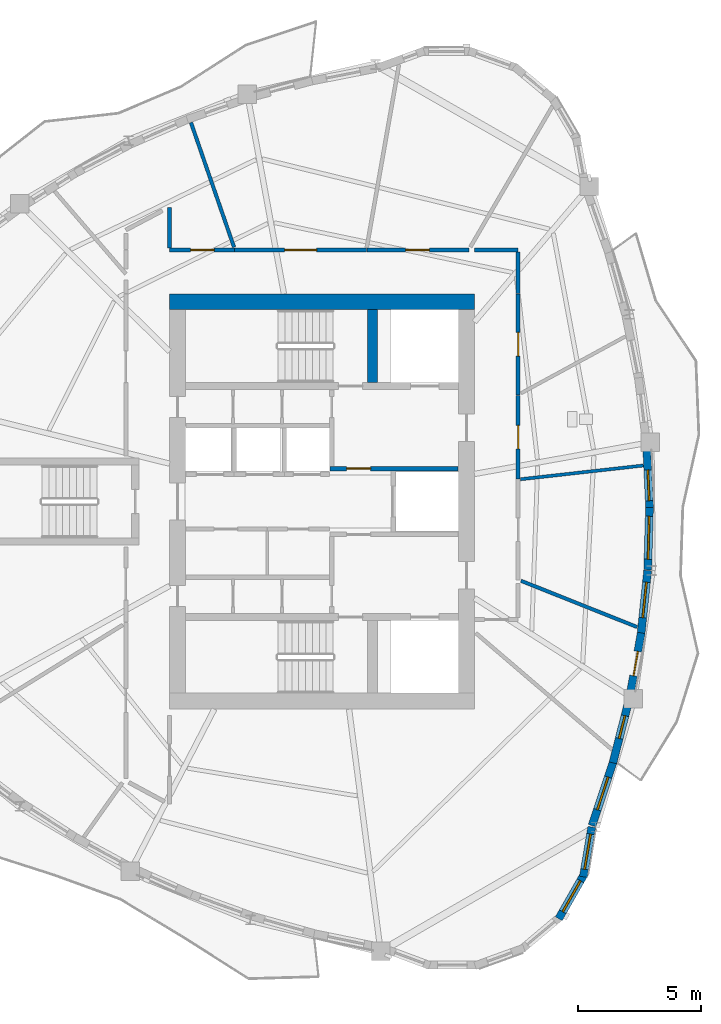
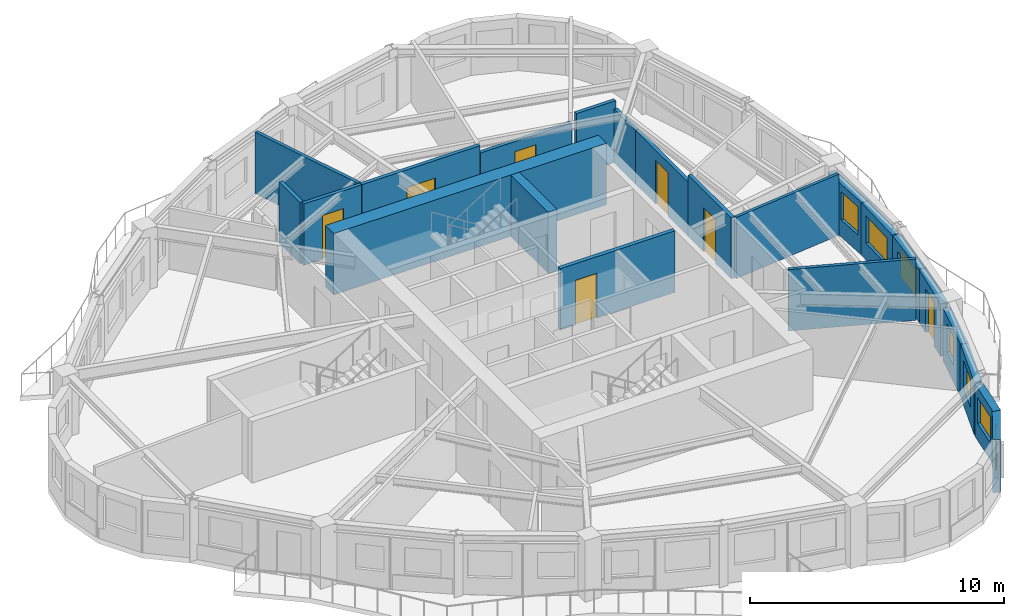
# One storey, part 6 of 12: 22 walls, 7 doors, 7 windows, 14 openings.
"""IFC4 building model written with IfcOpenShell, lengths in metres."""

from ifc_helpers import new_model, si_unit, direction, frame, frame_2d, origin, place, context, subcontext, project, spatial, rectangle, extrude, source, transform, mapped, material, layer, layer_set, type_object, element, fill, save


model = new_model("IFC4")

# Units and contexts
model_context = context("Model", 3, precision=1e-05, world=origin(), true_north=direction((0.0, 1.0)))
body_context = subcontext(model_context, "Body", "Model", "MODEL_VIEW")
ifc_project = project(units=[si_unit("LENGTHUNIT", "METRE"), si_unit("AREAUNIT", "SQUARE_METRE"), si_unit("VOLUMEUNIT", "CUBIC_METRE"), si_unit("PLANEANGLEUNIT", "RADIAN"), si_unit("MASSUNIT", "GRAM", prefix="KILO")], contexts=[model_context])

# Site, building, storey
site_placement = place(None, origin())
site = spatial("IfcSite", under=ifc_project, at=site_placement, CompositionType="ELEMENT")
building_placement = place(site_placement, origin())
building = spatial("IfcBuilding", under=site, at=building_placement, Name="Qafzar Sky-Pleat Residences", CompositionType="ELEMENT")
storey_placement = place(building_placement, frame((0.0, 0.0, 184.199951171875)))
storey = spatial("IfcBuildingStorey", under=building, at=storey_placement, Name="L55", CompositionType="ELEMENT", Elevation=184.199951171875)

# Wall, opening, door
ifc_material_1 = material(Name="Acoustic gypsum plasterboard partition", Category="gypsum")
ifc_layer_1 = layer(ifc_material_1, 0.159912109375)
ifc_layer_set_1 = layer_set([ifc_layer_1], Name="Acoustic gypsum plasterboard partition")
wall_type_1 = type_object("IfcWallType", Name="PART-COR-160", PredefinedType="PARTITIONING", material=ifc_layer_set_1)
wall_1_placement = place(storey_placement, frame((26.7958984375, 36.22998046875, 0.0), z_axis=(0.0, 0.0, 1.0), x_axis=(1.0, 0.0, 0.0)))
wall_1 = element("IfcWall", 1, at=wall_1_placement, inside=storey, type_object=wall_type_1, Name="L55 Partition Wall PART-L55-PW-003", PredefinedType="PARTITIONING", context=body_context, shape_type="SweptSolid", body=[
    extrude(rectangle(XDim=5.37109375, YDim=0.159912109375, at=frame_2d((2.685546875, 0.0))), origin(), (0.0, 0.0, 1.0), 2.949951171875),
])
opening_1_placement = place(wall_1_placement, frame((2.035888671875, 0.0, 0.0)))
opening_1 = element("IfcOpeningElement", 2, at=opening_1_placement, cuts=wall_1, Name="Opening ID-05", PredefinedType="OPENING", context=body_context, shape_type="SweptSolid", body=[
    extrude(rectangle(XDim=1.300048828125, YDim=2.10009765625, at=frame_2d((0.64990234375, 1.050048828125))), frame((0.0, 0.08984375, 0.0), z_axis=(0.0, -1.0, 0.0), x_axis=(1.0, 0.0, 0.0)), (0.0, 0.0, 1.0), 0.179931640625),
])
ifc_material_2 = material(Name="Timber-faced fire door", Category="wood")
door_type_1 = type_object("IfcDoorType", Name="DR-LNG-1300", OperationType="DOUBLE_DOOR_SINGLE_SWING", PredefinedType="DOOR", material=ifc_material_2)
shared_shape_1 = source(origin(), body_context, "Body", "SweptSolid", [
    extrude(rectangle(XDim=1.300048828125, YDim=2.10009765625, at=frame_2d((0.64990234375, 1.050048828125))), frame((0.0, 0.02490234375, 0.0), z_axis=(0.0, -1.0, 0.0), x_axis=(1.0, 0.0, 0.0)), (0.0, 0.0, 1.0), 0.050048828125),
])
door_1_placement = place(opening_1_placement, origin())
door_1 = element("IfcDoor", 3, at=door_1_placement, inside=storey, type_object=door_type_1, Name="L55 Graduate Lecture Room Door", OperationType="DOUBLE_DOOR_SINGLE_SWING", OverallHeight=2.10009765625, OverallWidth=1.300048828125, PredefinedType="DOOR", context=body_context, shape_type="MappedRepresentation", body=[
    mapped(shared_shape_1, transform((0.0, 0.0, 0.0), x_axis=(1.0, 0.0, 0.0), y_axis=(0.0, 1.0, 0.0), z_axis=(0.0, 0.0, 1.0), scale=1.0)),
])
fill(opening_1, door_1)

wall_2_placement = place(storey_placement, frame((32.181884765625, 36.22998046875, 0.0), z_axis=(0.0, 0.0, 1.0), x_axis=(1.0, 0.0, 0.0)))
wall_2 = element("IfcWall", 4, at=wall_2_placement, inside=storey, type_object=wall_type_1, Name="L55 Partition Wall PART-L55-PW-004", PredefinedType="PARTITIONING", context=body_context, shape_type="SweptSolid", body=[
    extrude(rectangle(XDim=4.149169921875, YDim=0.159912109375, at=frame_2d((2.07470703125, 0.0))), origin(), (0.0, 0.0, 1.0), 2.588134765625),
])
opening_2_placement = place(wall_2_placement, frame((1.571044921875, 0.0, 0.0)))
opening_2 = element("IfcOpeningElement", 5, at=opening_2_placement, cuts=wall_2, Name="Opening ID-06", PredefinedType="OPENING", context=body_context, shape_type="SweptSolid", body=[
    extrude(rectangle(XDim=0.9599609375, YDim=2.10009765625, at=frame_2d((0.47998046875, 1.050048828125))), frame((0.0, 0.08984375, 0.0), z_axis=(0.0, -1.0, 0.0), x_axis=(1.0, 0.0, 0.0)), (0.0, 0.0, 1.0), 0.179931640625),
])
door_type_2 = type_object("IfcDoorType", Name="DR-STD-960", OperationType="NOTDEFINED", PredefinedType="DOOR", material=ifc_material_2)
shared_shape_2 = source(origin(), body_context, "Body", "SweptSolid", [
    extrude(rectangle(XDim=0.9599609375, YDim=2.10009765625, at=frame_2d((0.47998046875, 1.050048828125))), frame((0.0, 0.02490234375, 0.0), z_axis=(0.0, -1.0, 0.0), x_axis=(1.0, 0.0, 0.0)), (0.0, 0.0, 1.0), 0.050048828125),
])
door_2_placement = place(opening_2_placement, origin())
door_2 = element("IfcDoor", 6, at=door_2_placement, inside=storey, type_object=door_type_2, Name="L55 Scholar Co-Working Workspace Door", OperationType="SINGLE_SWING_LEFT", OverallHeight=2.10009765625, OverallWidth=0.9599609375, PredefinedType="DOOR", context=body_context, shape_type="MappedRepresentation", body=[
    mapped(shared_shape_2, transform((0.0, 0.0, 0.0), x_axis=(1.0, 0.0, 0.0), y_axis=(0.0, 1.0, 0.0), z_axis=(0.0, 0.0, 1.0), scale=1.0)),
])
fill(opening_2, door_2)

wall_3_placement = place(storey_placement, frame((38.330078125, 34.449951171875, 0.0), z_axis=(0.0, 0.0, 1.0), x_axis=(0.0, -1.0, 0.0)))
wall_3 = element("IfcWall", 7, at=wall_3_placement, inside=storey, type_object=wall_type_1, Name="L55 Partition Wall PART-L55-PW-005", PredefinedType="PARTITIONING", context=body_context, shape_type="SweptSolid", body=[
    extrude(rectangle(XDim=4.1259765625, YDim=0.159912109375, at=frame_2d((2.06298828125, 0.0))), origin(), (0.0, 0.0, 1.0), 2.588134765625),
])
opening_3_placement = place(wall_3_placement, frame((1.574462890625, 0.0, 0.0)))
opening_3 = element("IfcOpeningElement", 8, at=opening_3_placement, cuts=wall_3, Name="Opening ID-06", PredefinedType="OPENING", context=body_context, shape_type="SweptSolid", body=[
    extrude(rectangle(XDim=0.9599609375, YDim=2.10009765625, at=frame_2d((0.47998046875, 1.050048828125))), frame((0.0, 0.08984375, 0.0), z_axis=(0.0, -1.0, 0.0), x_axis=(1.0, 0.0, 0.0)), (0.0, 0.0, 1.0), 0.179931640625),
])
door_3_placement = place(opening_3_placement, origin())
door_3 = element("IfcDoor", 9, at=door_3_placement, inside=storey, type_object=door_type_2, Name="L55 Faculty Research Office Door", OperationType="SINGLE_SWING_RIGHT", OverallHeight=2.10009765625, OverallWidth=0.9599609375, PredefinedType="DOOR", context=body_context, shape_type="MappedRepresentation", body=[
    mapped(shared_shape_2, transform((0.0, 0.0, 0.0), x_axis=(1.0, 0.0, 0.0), y_axis=(0.0, 1.0, 0.0), z_axis=(0.0, 0.0, 1.0), scale=1.0)),
])
fill(opening_3, door_3)

wall_4_placement = place(storey_placement, frame((38.330078125, 30.30908203125, 0.0), z_axis=(0.0, 0.0, 1.0), x_axis=(0.0, -1.0, 0.0)))
wall_4 = element("IfcWall", 10, at=wall_4_placement, inside=storey, type_object=wall_type_1, Name="L55 Partition Wall PART-L55-PW-008", PredefinedType="PARTITIONING", context=body_context, shape_type="SweptSolid", body=[
    extrude(rectangle(XDim=3.385009765625, YDim=0.159912109375, at=frame_2d((1.6923828125, 0.0))), origin(), (0.0, 0.0, 1.0), 2.949951171875),
])
opening_4_placement = place(wall_4_placement, frame((1.216552734375, 0.0, 0.0)))
opening_4 = element("IfcOpeningElement", 11, at=opening_4_placement, cuts=wall_4, Name="Opening ID-08", PredefinedType="OPENING", context=body_context, shape_type="SweptSolid", body=[
    extrude(rectangle(XDim=0.949951171875, YDim=2.10009765625, at=frame_2d((0.47509765625, 1.050048828125))), frame((0.0, 0.08984375, 0.0), z_axis=(0.0, -1.0, 0.0), x_axis=(1.0, 0.0, 0.0)), (0.0, 0.0, 1.0), 0.179931640625),
])
door_type_3 = type_object("IfcDoorType", Name="DR-AWC-950", OperationType="NOTDEFINED", PredefinedType="DOOR", material=ifc_material_2)
shared_shape_3 = source(origin(), body_context, "Body", "SweptSolid", [
    extrude(rectangle(XDim=0.949951171875, YDim=2.10009765625, at=frame_2d((0.47509765625, 1.050048828125))), frame((0.0, 0.02490234375, 0.0), z_axis=(0.0, -1.0, 0.0), x_axis=(1.0, 0.0, 0.0)), (0.0, 0.0, 1.0), 0.050048828125),
])
door_4_placement = place(opening_4_placement, origin())
door_4 = element("IfcDoor", 12, at=door_4_placement, inside=storey, type_object=door_type_3, Name="L55 Accessible Shared Washroom Door", OperationType="SINGLE_SWING_RIGHT", OverallHeight=2.10009765625, OverallWidth=0.949951171875, PredefinedType="DOOR", context=body_context, shape_type="MappedRepresentation", body=[
    mapped(shared_shape_3, transform((0.0, 0.0, 0.0), x_axis=(1.0, 0.0, 0.0), y_axis=(0.0, 1.0, 0.0), z_axis=(0.0, 0.0, 1.0), scale=1.0)),
])
fill(opening_4, door_4)

wall_5_placement = place(storey_placement, frame((24.14990234375, 36.22998046875, 0.0), z_axis=(0.0, 0.0, 1.0), x_axis=(1.0, 0.0, 0.0)))
wall_5 = element("IfcWall", 13, at=wall_5_placement, inside=storey, type_object=wall_type_1, Name="L55 Partition Wall PART-L55-PW-010", PredefinedType="PARTITIONING", context=body_context, shape_type="SweptSolid", body=[
    extrude(rectangle(XDim=2.631103515625, YDim=0.159912109375, at=frame_2d((1.3154296875, 0.0))), origin(), (0.0, 0.0, 1.0), 2.949951171875),
])
opening_5_placement = place(wall_5_placement, frame((0.85107421875, 0.0, 0.0)))
opening_5 = element("IfcOpeningElement", 14, at=opening_5_placement, cuts=wall_5, Name="Opening ID-06", PredefinedType="OPENING", context=body_context, shape_type="SweptSolid", body=[
    extrude(rectangle(XDim=0.9599609375, YDim=2.10009765625, at=frame_2d((0.47998046875, 1.050048828125))), frame((0.0, 0.08984375, 0.0), z_axis=(0.0, -1.0, 0.0), x_axis=(1.0, 0.0, 0.0)), (0.0, 0.0, 1.0), 0.179931640625),
])
door_5_placement = place(opening_5_placement, origin())
door_5 = element("IfcDoor", 15, at=door_5_placement, inside=storey, type_object=door_type_2, Name="L55 Wellness Yoga Studio Door", OperationType="SINGLE_SWING_LEFT", OverallHeight=2.10009765625, OverallWidth=0.9599609375, PredefinedType="DOOR", context=body_context, shape_type="MappedRepresentation", body=[
    mapped(shared_shape_2, transform((0.0, 0.0, 0.0), x_axis=(1.0, 0.0, 0.0), y_axis=(0.0, 1.0, 0.0), z_axis=(0.0, 0.0, 1.0), scale=1.0)),
])
fill(opening_5, door_5)

# Walls
wall_6_placement = place(storey_placement, frame((36.550048828125, 36.22998046875, 0.0), z_axis=(0.0, 0.0, 1.0), x_axis=(1.0, 0.0, 0.0)))
element("IfcWall", 16, at=wall_6_placement, inside=storey, type_object=wall_type_1, Name="L55 Partition Wall PART-L55-PW-024", PredefinedType="PARTITIONING", context=body_context, shape_type="SweptSolid", body=[
    extrude(rectangle(XDim=1.780029296875, YDim=0.159912109375, at=frame_2d((0.89013671875, 0.0))), origin(), (0.0, 0.0, 1.0), 2.949951171875),
])
wall_7_placement = place(storey_placement, frame((38.330078125, 34.465087890625, 0.0), z_axis=(0.0, 0.0, 1.0), x_axis=(0.0, 1.0, 0.0)))
element("IfcWall", 17, at=wall_7_placement, inside=storey, type_object=wall_type_1, Name="L55 Partition Wall PART-L55-PW-025", PredefinedType="PARTITIONING", context=body_context, shape_type="SweptSolid", body=[
    extrude(rectangle(XDim=1.677001953125, YDim=0.159912109375, at=frame_2d((0.83837890625, 0.0))), origin(), (0.0, 0.0, 1.0), 2.588134765625),
])
wall_8_placement = place(storey_placement, frame((24.14990234375, 36.318115234375, 0.0), z_axis=(0.0, 0.0, 1.0), x_axis=(0.0, 1.0, 0.0)))
element("IfcWall", 18, at=wall_8_placement, inside=storey, type_object=wall_type_1, Name="L55 Partition Wall PART-L55-PW-026", PredefinedType="PARTITIONING", context=body_context, shape_type="SweptSolid", body=[
    extrude(rectangle(XDim=1.637939453125, YDim=0.159912109375, at=frame_2d((0.81884765625, 0.0))), origin(), (0.0, 0.0, 1.0), 2.949951171875),
])

# Wall, opening, door
ifc_material_3 = material(Name="Concrete blockwork partition", Category="masonry")
ifc_layer_2 = layer(ifc_material_3, 0.179931640625)
ifc_layer_set_2 = layer_set([ifc_layer_2], Name="Concrete blockwork partition")
wall_type_2 = type_object("IfcWallType", Name="PART-SHAFT-180", PredefinedType="PARTITIONING", material=ifc_layer_set_2)
wall_9_placement = place(storey_placement, frame((30.669921875, 27.340087890625, 0.0), z_axis=(0.0, 0.0, 1.0), x_axis=(1.0, 0.0, 0.0)))
wall_9 = element("IfcWall", 19, at=wall_9_placement, inside=storey, type_object=wall_type_2, Name="L55 Partition Wall PART-L55-FFL2-S", PredefinedType="PARTITIONING", context=body_context, shape_type="SweptSolid", body=[
    extrude(rectangle(XDim=5.219970703125, YDim=0.179931640625, at=frame_2d((2.60986328125, 0.0))), origin(), (0.0, 0.0, 1.0), 2.949951171875),
])
opening_6_placement = place(wall_9_placement, frame((0.679931640625, 0.0, 0.0)))
opening_6 = element("IfcOpeningElement", 20, at=opening_6_placement, cuts=wall_9, Name="Opening ID-01", PredefinedType="OPENING", context=body_context, shape_type="SweptSolid", body=[
    extrude(rectangle(XDim=0.97998046875, YDim=2.14990234375, at=frame_2d((0.489990234375, 1.074951171875))), frame((0.0, 0.10009765625, 0.0), z_axis=(0.0, -1.0, 0.0), x_axis=(1.0, 0.0, 0.0)), (0.0, 0.0, 1.0), 0.199951171875),
])
door_type_4 = type_object("IfcDoorType", Name="DR-STAIR-980", OperationType="NOTDEFINED", PredefinedType="DOOR", material=ifc_material_2)
shared_shape_4 = source(origin(), body_context, "Body", "SweptSolid", [
    extrude(rectangle(XDim=0.97998046875, YDim=2.14990234375, at=frame_2d((0.489990234375, 1.074951171875))), frame((0.0, 0.02490234375, 0.0), z_axis=(0.0, -1.0, 0.0), x_axis=(1.0, 0.0, 0.0)), (0.0, 0.0, 1.0), 0.050048828125),
])
door_6_placement = place(opening_6_placement, origin())
door_6 = element("IfcDoor", 21, at=door_6_placement, inside=storey, type_object=door_type_4, Name="L55 Lift Lobby to North Firefighting Lobby Door", OperationType="SINGLE_SWING_LEFT", OverallHeight=2.14990234375, OverallWidth=0.97998046875, PredefinedType="DOOR", context=body_context, shape_type="MappedRepresentation", body=[
    mapped(shared_shape_4, transform((0.0, 0.0, 0.0), x_axis=(1.0, 0.0, 0.0), y_axis=(0.0, 1.0, 0.0), z_axis=(0.0, 0.0, 1.0), scale=1.0)),
])
fill(opening_6, door_6)

# Walls
ifc_layer_3 = layer(ifc_material_1, 0.14501953125)
ifc_layer_set_3 = layer_set([ifc_layer_3], Name="Acoustic gypsum plasterboard partition")
wall_type_3 = type_object("IfcWallType", Name="PART-UNIT-145", PredefinedType="PARTITIONING", material=ifc_layer_set_3)
wall_10_placement = place(storey_placement, frame((25.0185546875, 41.416015625, 0.0), z_axis=(0.0, 0.0, 1.0), x_axis=(0.326820085254, -0.945086573746, 0.0)))
element("IfcWall", 22, at=wall_10_placement, inside=storey, type_object=wall_type_3, Name="L55 Partition Wall PART-L55-PW-017", PredefinedType="PARTITIONING", context=body_context, shape_type="SweptSolid", body=[
    extrude(rectangle(XDim=5.36962890625, YDim=0.14501953125, at=frame_2d((2.684814453125, 0.0))), origin(), (0.0, 0.0, 1.0), 2.949951171875),
])
wall_11_placement = place(storey_placement, frame((38.4443359375, 22.7744140625, 0.0), z_axis=(0.0, 0.0, 1.0), x_axis=(0.928995588187, -0.37009079579, 0.0)))
element("IfcWall", 23, at=wall_11_placement, inside=storey, type_object=wall_type_3, Name="L55 Partition Wall PART-L55-PW-018", PredefinedType="PARTITIONING", context=body_context, shape_type="SweptSolid", body=[
    extrude(rectangle(XDim=5.08544921875, YDim=0.14501953125, at=frame_2d((2.542724609375, 0.0))), origin(), (0.0, 0.0, 1.0), 2.949951171875),
])
ifc_material_4 = material(Name="Moisture-resistant gypsum partition", Category="gypsum")
ifc_layer_4 = layer(ifc_material_4, 0.1298828125)
ifc_layer_set_4 = layer_set([ifc_layer_4], Name="Moisture-resistant gypsum partition")
wall_type_4 = type_object("IfcWallType", Name="PART-WET-130", PredefinedType="PARTITIONING", material=ifc_layer_set_4)
wall_12_placement = place(storey_placement, frame((38.42529296875, 26.904541015625, 0.0), z_axis=(0.0, 0.0, 1.0), x_axis=(0.993793959726, 0.111236530025, 0.0)))
element("IfcWall", 24, at=wall_12_placement, inside=storey, type_object=wall_type_4, Name="L55 Partition Wall PART-L55-PW-019", PredefinedType="PARTITIONING", context=body_context, shape_type="SweptSolid", body=[
    extrude(rectangle(XDim=5.026123046875, YDim=0.1298828125, at=frame_2d((2.51318359375, 0.0))), origin(), (0.0, 0.0, 1.0), 2.949951171875),
])

# Wall, opening, window
ifc_material_5 = material(Name="Precast concrete C40/50 with honed Riyadh limestone", Category="concrete")
ifc_layer_5 = layer(ifc_material_5, 0.320068359375)
ifc_layer_set_5 = layer_set([ifc_layer_5], Name="Precast concrete C40/50 with honed Riyadh limestone")
wall_type_5 = type_object("IfcWallType", Name="WALL-EXT-320", PredefinedType="SOLIDWALL", material=ifc_layer_set_5)
wall_13_placement = place(storey_placement, frame((39.980224609375, 9.025390625, 0.0), z_axis=(0.0, 0.0, 1.0), x_axis=(0.495714993308, 0.868485259178, 0.0)))
wall_13 = element("IfcWall", 25, at=wall_13_placement, inside=storey, type_object=wall_type_5, Name="L55 Limestone Facade Wall 21", PredefinedType="SOLIDWALL", context=body_context, shape_type="SweptSolid", body=[
    extrude(rectangle(XDim=2.10888671875, YDim=0.320068359375, at=frame_2d((1.054443359375, 0.0))), origin(), (0.0, 0.0, 1.0), 2.530029296875),
])
opening_7_placement = place(wall_13_placement, frame((0.329345703125, 0.0, 0.820068359375)))
opening_7 = element("IfcOpeningElement", 26, at=opening_7_placement, cuts=wall_13, Name="Opening WN-15", PredefinedType="OPENING", context=body_context, shape_type="SweptSolid", body=[
    extrude(rectangle(XDim=1.449951171875, YDim=1.25, at=frame_2d((0.72509765625, 0.625))), frame((0.0, 0.169921875, 0.0), z_axis=(0.0, -1.0, 0.0), x_axis=(1.0, 0.0, 0.0)), (0.0, 0.0, 1.0), 0.340087890625),
])
ifc_material_6 = material(Name="Solar-control low-E glass in bronze aluminium frame", Category="glass")
window_type_1 = type_object("IfcWindowType", Name="WIN-15", PartitioningType="SINGLE_PANEL", PredefinedType="WINDOW", material=ifc_material_6)
shared_shape_5 = source(origin(), body_context, "Body", "SweptSolid", [
    extrude(rectangle(XDim=1.449951171875, YDim=1.25, at=frame_2d((0.72509765625, 0.625))), frame((0.0, 0.030029296875, 0.0), z_axis=(0.0, -1.0, 0.0), x_axis=(1.0, 0.0, 0.0)), (0.0, 0.0, 1.0), 0.06005859375),
])
window_1_placement = place(opening_7_placement, origin())
window_1 = element("IfcWindow", 27, at=window_1_placement, inside=storey, type_object=window_type_1, Name="L55 Punched Facade Window 21", OverallHeight=1.25, OverallWidth=1.449951171875, PartitioningType="SINGLE_PANEL", PredefinedType="WINDOW", context=body_context, shape_type="MappedRepresentation", body=[
    mapped(shared_shape_5, transform((0.0, 0.0, 0.0), x_axis=(1.0, 0.0, 0.0), y_axis=(0.0, 1.0, 0.0), z_axis=(0.0, 0.0, 1.0), scale=1.0)),
])
fill(opening_7, window_1)

wall_14_placement = place(storey_placement, frame((40.981689453125, 10.733642578125, 0.0), z_axis=(0.0, 0.0, 1.0), x_axis=(0.165711561454, 0.986174263708, 0.0)))
wall_14 = element("IfcWall", 28, at=wall_14_placement, inside=storey, type_object=wall_type_5, Name="L55 Limestone Facade Wall 22", PredefinedType="SOLIDWALL", context=body_context, shape_type="SweptSolid", body=[
    extrude(rectangle(XDim=2.05078125, YDim=0.320068359375, at=frame_2d((1.025390625, 0.0))), origin(), (0.0, 0.0, 1.0), 2.530029296875),
])
opening_8_placement = place(wall_14_placement, frame((0.310302734375, 0.0, 0.820068359375)))
opening_8 = element("IfcOpeningElement", 29, at=opening_8_placement, cuts=wall_14, Name="Opening WN-15", PredefinedType="OPENING", context=body_context, shape_type="SweptSolid", body=[
    extrude(rectangle(XDim=1.449951171875, YDim=1.25, at=frame_2d((0.72509765625, 0.625))), frame((0.0, 0.169921875, 0.0), z_axis=(0.0, -1.0, 0.0), x_axis=(1.0, 0.0, 0.0)), (0.0, 0.0, 1.0), 0.340087890625),
])
window_2_placement = place(opening_8_placement, origin())
window_2 = element("IfcWindow", 30, at=window_2_placement, inside=storey, type_object=window_type_1, Name="L55 Punched Facade Window 22", OverallHeight=1.25, OverallWidth=1.449951171875, PartitioningType="SINGLE_PANEL", PredefinedType="WINDOW", context=body_context, shape_type="MappedRepresentation", body=[
    mapped(shared_shape_5, transform((0.0, 0.0, 0.0), x_axis=(1.0, 0.0, 0.0), y_axis=(0.0, 1.0, 0.0), z_axis=(0.0, 0.0, 1.0), scale=1.0)),
])
fill(opening_8, window_2)

wall_15_placement = place(storey_placement, frame((41.3369140625, 12.818603515625, 0.0), z_axis=(0.0, 0.0, 1.0), x_axis=(0.31443095402, 0.949280345922, 0.0)))
wall_15 = element("IfcWall", 31, at=wall_15_placement, inside=storey, type_object=wall_type_5, Name="L55 Limestone Facade Wall 23", PredefinedType="SOLIDWALL", context=body_context, shape_type="SweptSolid", body=[
    extrude(rectangle(XDim=2.772705078125, YDim=0.320068359375, at=frame_2d((1.38623046875, 0.0))), origin(), (0.0, 0.0, 1.0), 2.530029296875),
])
opening_9_placement = place(wall_15_placement, frame((0.67626953125, 0.0, 0.820068359375)))
opening_9 = element("IfcOpeningElement", 32, at=opening_9_placement, cuts=wall_15, Name="Opening WN-10", PredefinedType="OPENING", context=body_context, shape_type="SweptSolid", body=[
    extrude(rectangle(XDim=1.39990234375, YDim=1.35009765625, at=frame_2d((0.699951171875, 0.675048828125))), frame((0.0, 0.169921875, 0.0), z_axis=(0.0, -1.0, 0.0), x_axis=(1.0, 0.0, 0.0)), (0.0, 0.0, 1.0), 0.340087890625),
])
window_type_2 = type_object("IfcWindowType", Name="WIN-10", PartitioningType="SINGLE_PANEL", PredefinedType="WINDOW", material=ifc_material_6)
shared_shape_6 = source(origin(), body_context, "Body", "SweptSolid", [
    extrude(rectangle(XDim=1.39990234375, YDim=1.35009765625, at=frame_2d((0.699951171875, 0.675048828125))), frame((0.0, 0.030029296875, 0.0), z_axis=(0.0, -1.0, 0.0), x_axis=(1.0, 0.0, 0.0)), (0.0, 0.0, 1.0), 0.06005859375),
])
window_3_placement = place(opening_9_placement, origin())
window_3 = element("IfcWindow", 33, at=window_3_placement, inside=storey, type_object=window_type_2, Name="L55 Punched Facade Window 23", OverallHeight=1.35009765625, OverallWidth=1.39990234375, PartitioningType="SINGLE_PANEL", PredefinedType="WINDOW", context=body_context, shape_type="MappedRepresentation", body=[
    mapped(shared_shape_6, transform((0.0, 0.0, 0.0), x_axis=(1.0, 0.0, 0.0), y_axis=(0.0, 1.0, 0.0), z_axis=(0.0, 0.0, 1.0), scale=1.0)),
])
fill(opening_9, window_3)

wall_16_placement = place(storey_placement, frame((42.18408203125, 15.3671875, 0.0), z_axis=(0.0, 0.0, 1.0), x_axis=(0.247650778908, 0.968849364817, 0.0)))
wall_16 = element("IfcWall", 34, at=wall_16_placement, inside=storey, type_object=wall_type_5, Name="L55 Limestone Facade Wall 24", PredefinedType="SOLIDWALL", context=body_context, shape_type="SweptSolid", body=[
    extrude(rectangle(XDim=2.570068359375, YDim=0.320068359375, at=frame_2d((1.28515625, 0.0))), origin(), (0.0, 0.0, 1.0), 2.530029296875),
])
opening_10_placement = place(wall_16_placement, frame((1.02783203125, 0.0, 0.820068359375)))
opening_10 = element("IfcOpeningElement", 35, at=opening_10_placement, cuts=wall_16, Name="Opening WN-12", PredefinedType="OPENING", context=body_context, shape_type="SweptSolid", body=[
    extrude(rectangle(XDim=0.949951171875, YDim=1.35009765625, at=frame_2d((0.47509765625, 0.675048828125))), frame((0.0, 0.169921875, 0.0), z_axis=(0.0, -1.0, 0.0), x_axis=(1.0, 0.0, 0.0)), (0.0, 0.0, 1.0), 0.340087890625),
])
window_type_3 = type_object("IfcWindowType", Name="WIN-12", PartitioningType="SINGLE_PANEL", PredefinedType="WINDOW", material=ifc_material_6)
shared_shape_7 = source(origin(), body_context, "Body", "SweptSolid", [
    extrude(rectangle(XDim=0.949951171875, YDim=1.35009765625, at=frame_2d((0.47509765625, 0.675048828125))), frame((0.0, 0.030029296875, 0.0), z_axis=(0.0, -1.0, 0.0), x_axis=(1.0, 0.0, 0.0)), (0.0, 0.0, 1.0), 0.06005859375),
])
window_4_placement = place(opening_10_placement, origin())
window_4 = element("IfcWindow", 36, at=window_4_placement, inside=storey, type_object=window_type_3, Name="L55 Punched Facade Window 24-2", OverallHeight=1.35009765625, OverallWidth=0.949951171875, PartitioningType="SINGLE_PANEL", PredefinedType="WINDOW", context=body_context, shape_type="MappedRepresentation", body=[
    mapped(shared_shape_7, transform((0.0, 0.0, 0.0), x_axis=(1.0, 0.0, 0.0), y_axis=(0.0, 1.0, 0.0), z_axis=(0.0, 0.0, 1.0), scale=1.0)),
])
fill(opening_10, window_4)

# Wall, opening, door
wall_17_placement = place(storey_placement, frame((42.88818359375, 18.168212890625, 0.0), z_axis=(0.0, 0.0, 1.0), x_axis=(0.177158615295, 0.984182312901, 0.0)))
wall_17 = element("IfcWall", 37, at=wall_17_placement, inside=storey, type_object=wall_type_5, Name="L55 Limestone Facade Wall 25", PredefinedType="SOLIDWALL", context=body_context, shape_type="SweptSolid", body=[
    extrude(rectangle(XDim=2.526123046875, YDim=0.320068359375, at=frame_2d((1.26318359375, 0.0))), origin(), (0.0, 0.0, 1.0), 2.530029296875),
])
opening_11_placement = place(wall_17_placement, frame((0.758056640625, 0.0, 0.0)))
opening_11 = element("IfcOpeningElement", 38, at=opening_11_placement, cuts=wall_17, Name="Opening ED-05", PredefinedType="OPENING", context=body_context, shape_type="SweptSolid", body=[
    extrude(rectangle(XDim=1.0, YDim=2.10009765625, at=frame_2d((0.5, 1.050048828125))), frame((0.0, 0.169921875, 0.0), z_axis=(0.0, -1.0, 0.0), x_axis=(1.0, 0.0, 0.0)), (0.0, 0.0, 1.0), 0.340087890625),
])
ifc_material_7 = material(Name="Glazed bronze aluminium door", Category="aluminium")
door_type_5 = type_object("IfcDoorType", Name="DR-BAL-1000", OperationType="NOTDEFINED", PredefinedType="DOOR", material=ifc_material_7)
shared_shape_8 = source(origin(), body_context, "Body", "SweptSolid", [
    extrude(rectangle(XDim=1.0, YDim=2.10009765625, at=frame_2d((0.5, 1.050048828125))), frame((0.0, 0.02490234375, 0.0), z_axis=(0.0, -1.0, 0.0), x_axis=(1.0, 0.0, 0.0)), (0.0, 0.0, 1.0), 0.050048828125),
])
door_7_placement = place(opening_11_placement, origin())
door_7 = element("IfcDoor", 39, at=door_7_placement, inside=storey, type_object=door_type_5, Name="L55 Glazed Balcony Door 1", OperationType="SINGLE_SWING_RIGHT", OverallHeight=2.10009765625, OverallWidth=1.0, PredefinedType="DOOR", context=body_context, shape_type="MappedRepresentation", body=[
    mapped(shared_shape_8, transform((0.0, 0.0, 0.0), x_axis=(1.0, 0.0, 0.0), y_axis=(0.0, 1.0, 0.0), z_axis=(0.0, 0.0, 1.0), scale=1.0)),
])
fill(opening_11, door_7)

# Wall, opening, window
wall_18_placement = place(storey_placement, frame((43.3232421875, 20.5673828125, 0.0), z_axis=(0.0, 0.0, 1.0), x_axis=(0.10362132496, 0.9946168212, 0.0)))
wall_18 = element("IfcWall", 40, at=wall_18_placement, inside=storey, type_object=wall_type_5, Name="L55 Limestone Facade Wall 26", PredefinedType="SOLIDWALL", context=body_context, shape_type="SweptSolid", body=[
    extrude(rectangle(XDim=2.64111328125, YDim=0.320068359375, at=frame_2d((1.320556640625, 0.0))), origin(), (0.0, 0.0, 1.0), 2.530029296875),
])
opening_12_placement = place(wall_18_placement, frame((0.714111328125, 0.0, 0.820068359375)))
opening_12 = element("IfcOpeningElement", 41, at=opening_12_placement, cuts=wall_18, Name="Opening WN-15", PredefinedType="OPENING", context=body_context, shape_type="SweptSolid", body=[
    extrude(rectangle(XDim=1.449951171875, YDim=1.25, at=frame_2d((0.72509765625, 0.625))), frame((0.0, 0.169921875, 0.0), z_axis=(0.0, -1.0, 0.0), x_axis=(1.0, 0.0, 0.0)), (0.0, 0.0, 1.0), 0.340087890625),
])
window_5_placement = place(opening_12_placement, origin())
window_5 = element("IfcWindow", 42, at=window_5_placement, inside=storey, type_object=window_type_1, Name="L55 Punched Facade Window 26", OverallHeight=1.25, OverallWidth=1.449951171875, PartitioningType="SINGLE_PANEL", PredefinedType="WINDOW", context=body_context, shape_type="MappedRepresentation", body=[
    mapped(shared_shape_5, transform((0.0, 0.0, 0.0), x_axis=(1.0, 0.0, 0.0), y_axis=(0.0, 1.0, 0.0), z_axis=(0.0, 0.0, 1.0), scale=1.0)),
])
fill(opening_12, window_5)

wall_19_placement = place(storey_placement, frame((43.598876953125, 23.22216796875, 0.0), z_axis=(0.0, 0.0, 1.0), x_axis=(0.028259888897, 0.999600609583, 0.0)))
wall_19 = element("IfcWall", 43, at=wall_19_placement, inside=storey, type_object=wall_type_5, Name="L55 Limestone Facade Wall 27", PredefinedType="SOLIDWALL", context=body_context, shape_type="SweptSolid", body=[
    extrude(rectangle(XDim=2.626220703125, YDim=0.320068359375, at=frame_2d((1.31298828125, 0.0))), origin(), (0.0, 0.0, 1.0), 2.530029296875),
])
opening_13_placement = place(wall_19_placement, frame((0.42822265625, 0.0, 0.820068359375)))
opening_13 = element("IfcOpeningElement", 44, at=opening_13_placement, cuts=wall_19, Name="Opening WN-14", PredefinedType="OPENING", context=body_context, shape_type="SweptSolid", body=[
    extrude(rectangle(XDim=1.75, YDim=1.300048828125, at=frame_2d((0.875, 0.64990234375))), frame((0.0, 0.169921875, 0.0), z_axis=(0.0, -1.0, 0.0), x_axis=(1.0, 0.0, 0.0)), (0.0, 0.0, 1.0), 0.340087890625),
])
window_type_4 = type_object("IfcWindowType", Name="WIN-14", PartitioningType="DOUBLE_PANEL_VERTICAL", PredefinedType="WINDOW", material=ifc_material_6)
shared_shape_9 = source(origin(), body_context, "Body", "SweptSolid", [
    extrude(rectangle(XDim=1.75, YDim=1.300048828125, at=frame_2d((0.875, 0.64990234375))), frame((0.0, 0.030029296875, 0.0), z_axis=(0.0, -1.0, 0.0), x_axis=(1.0, 0.0, 0.0)), (0.0, 0.0, 1.0), 0.06005859375),
])
window_6_placement = place(opening_13_placement, origin())
window_6 = element("IfcWindow", 45, at=window_6_placement, inside=storey, type_object=window_type_4, Name="L55 Punched Facade Window 27", OverallHeight=1.300048828125, OverallWidth=1.75, PartitioningType="SINGLE_PANEL", PredefinedType="WINDOW", context=body_context, shape_type="MappedRepresentation", body=[
    mapped(shared_shape_9, transform((0.0, 0.0, 0.0), x_axis=(1.0, 0.0, 0.0), y_axis=(0.0, 1.0, 0.0), z_axis=(0.0, 0.0, 1.0), scale=1.0)),
])
fill(opening_13, window_6)

wall_20_placement = place(storey_placement, frame((43.673828125, 25.759521484375, 0.0), z_axis=(0.0, 0.0, 1.0), x_axis=(-0.047621245569, 0.9988654649, 0.0)))
wall_20 = element("IfcWall", 46, at=wall_20_placement, inside=storey, type_object=wall_type_5, Name="L55 Limestone Facade Wall 28", PredefinedType="SOLIDWALL", context=body_context, shape_type="SweptSolid", body=[
    extrude(rectangle(XDim=2.4814453125, YDim=0.320068359375, at=frame_2d((1.24072265625, 0.0))), origin(), (0.0, 0.0, 1.0), 2.530029296875),
])
opening_14_placement = place(wall_20_placement, frame((0.27294921875, 0.0, 0.820068359375)))
opening_14 = element("IfcOpeningElement", 47, at=opening_14_placement, cuts=wall_20, Name="Opening WN-11", PredefinedType="OPENING", context=body_context, shape_type="SweptSolid", body=[
    extrude(rectangle(XDim=1.25, YDim=1.35009765625, at=frame_2d((0.625, 0.675048828125))), frame((0.0, 0.169921875, 0.0), z_axis=(0.0, -1.0, 0.0), x_axis=(1.0, 0.0, 0.0)), (0.0, 0.0, 1.0), 0.340087890625),
])
window_type_5 = type_object("IfcWindowType", Name="WIN-11", PartitioningType="SINGLE_PANEL", PredefinedType="WINDOW", material=ifc_material_6)
shared_shape_10 = source(origin(), body_context, "Body", "SweptSolid", [
    extrude(rectangle(XDim=1.25, YDim=1.35009765625, at=frame_2d((0.625, 0.675048828125))), frame((0.0, 0.030029296875, 0.0), z_axis=(0.0, -1.0, 0.0), x_axis=(1.0, 0.0, 0.0)), (0.0, 0.0, 1.0), 0.06005859375),
])
window_7_placement = place(opening_14_placement, origin())
window_7 = element("IfcWindow", 48, at=window_7_placement, inside=storey, type_object=window_type_5, Name="L55 Punched Facade Window 28", OverallHeight=1.35009765625, OverallWidth=1.25, PartitioningType="SINGLE_PANEL", PredefinedType="WINDOW", context=body_context, shape_type="MappedRepresentation", body=[
    mapped(shared_shape_10, transform((0.0, 0.0, 0.0), x_axis=(1.0, 0.0, 0.0), y_axis=(0.0, 1.0, 0.0), z_axis=(0.0, 0.0, 1.0), scale=1.0)),
])
fill(opening_14, window_7)

# Walls
ifc_material_8 = material(Name="Concrete C60/75", Category="concrete")
ifc_layer_6 = layer(ifc_material_8, 0.39990234375)
ifc_layer_set_6 = layer_set([ifc_layer_6], Name="Concrete C60/75")
wall_type_6 = type_object("IfcWallType", Name="WALL-SHEAR-400", PredefinedType="SHEAR", material=ifc_layer_set_6)
wall_21_placement = place(storey_placement, frame((32.39990234375, 30.85009765625, 0.0), z_axis=(0.0, 0.0, 1.0), x_axis=(0.0, 1.0, 0.0)))
element("IfcWall", 49, at=wall_21_placement, inside=storey, type_object=wall_type_6, Name="L55 Stair ST2 East Dividing Wall", PredefinedType="SHEAR", context=body_context, shape_type="SweptSolid", body=[
    extrude(rectangle(XDim=2.949951171875, YDim=0.39990234375, at=frame_2d((1.47509765625, 0.0))), origin(), (0.0, 0.0, 1.0), 2.949951171875),
])
ifc_layer_7 = layer(ifc_material_8, 0.64990234375)
ifc_layer_set_7 = layer_set([ifc_layer_7], Name="Concrete C60/75")
wall_type_7 = type_object("IfcWallType", Name="WALL-SHEAR-650", PredefinedType="SHEAR", material=ifc_layer_set_7)
wall_22_placement = place(storey_placement, frame((36.550048828125, 34.125, 0.0), z_axis=(0.0, 0.0, 1.0), x_axis=(-1.0, 0.0, 0.0)))
element("IfcWall", 50, at=wall_22_placement, inside=storey, type_object=wall_type_7, Name="L55 CORE wall N", PredefinedType="SHEAR", context=body_context, shape_type="SweptSolid", body=[
    extrude(rectangle(XDim=12.400146484375, YDim=0.64990234375, at=frame_2d((6.2001953125, 0.0))), origin(), (0.0, 0.0, 1.0), 2.949951171875),
])

save(model, "model.ifc")
